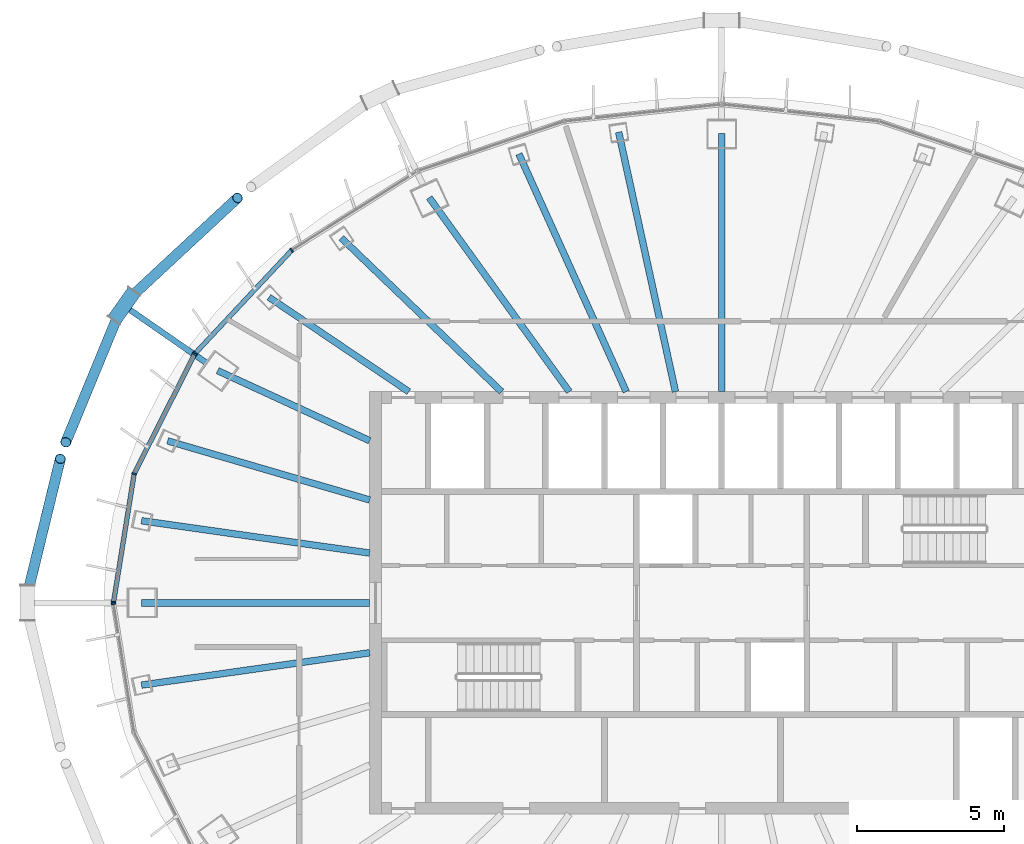
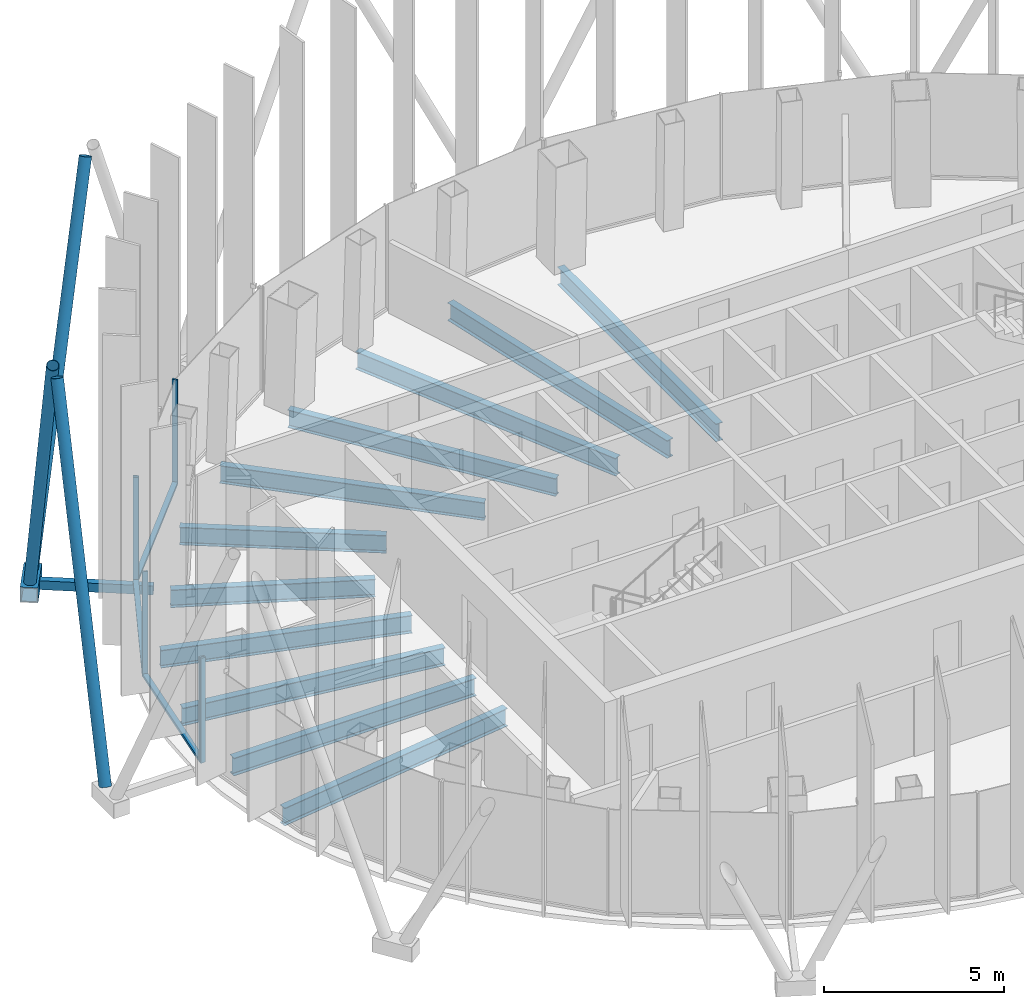
# One storey, part 4 of 19: 14 members, 11 beams, 3 elements without a shape of their own.
"""IFC4 building model written with IfcOpenShell, lengths in metres."""

from ifc_helpers import new_model, si_unit, direction, frame, origin, origin_2d, place, context, subcontext, project, spatial, rectangle, hollow_rectangle, hollow_circle, i_section, extrude, material, layer, layer_set, material_profile, profile_set, type_object, element, aggregate, save


model = new_model("IFC4")

# Units and contexts
model_context = context("Model", 3, precision=1e-05, world=origin(), true_north=direction((0.0, 1.0)))
body_context = subcontext(model_context, "Body", "Model", "MODEL_VIEW")
ifc_project = project(units=[si_unit("LENGTHUNIT", "METRE"), si_unit("AREAUNIT", "SQUARE_METRE"), si_unit("VOLUMEUNIT", "CUBIC_METRE"), si_unit("PLANEANGLEUNIT", "RADIAN"), si_unit("MASSUNIT", "GRAM", prefix="KILO")], contexts=[model_context])

# Site, building, storey
site_placement = place(None, origin())
site = spatial("IfcSite", under=ifc_project, at=site_placement, CompositionType="ELEMENT")
building_placement = place(site_placement, origin())
building = spatial("IfcBuilding", under=site, at=building_placement, Name="Siaravel Broadcast Tower", CompositionType="ELEMENT")
storey_placement = place(building_placement, frame((0.0, 0.0, 250.39990234375)))
storey = spatial("IfcBuildingStorey", under=building, at=storey_placement, Name="L61", CompositionType="ELEMENT", Elevation=250.39990234375)

# Beams
ifc_material_1 = material(Name="Steel S355", Category="steel")
ifc_material_profile_1 = material_profile(ifc_material_1, i_section(OverallWidth=0.2275390625, OverallDepth=0.6025390625, WebThickness=0.010498046875, FlangeThickness=0.014892578125, FilletRadius=0.0126953125, at=origin_2d()))
ifc_profile_set_1 = profile_set([ifc_material_profile_1], Name="Steel S355")
beam_type = type_object("IfcBeamType", Name="BM-UB 610x229x101", PredefinedType="BEAM", material=ifc_profile_set_1)
beam_1_placement = place(storey_placement, frame((0.0, 15.99951171875, -0.451171875), z_axis=(0.0, -1.0, 0.0), x_axis=(1.0, 0.0, 0.0)))
element("IfcBeam", 1, at=beam_1_placement, inside=storey, type_object=beam_type, Name="Radial beam RB10", PredefinedType="BEAM", context=body_context, shape_type="SweptSolid", body=[
    extrude(i_section(OverallWidth=0.2275390625, OverallDepth=0.6025390625, WebThickness=0.010498046875, FlangeThickness=0.014892578125, FilletRadius=0.0126953125, at=origin_2d()), origin(), (0.0, 0.0, 1.0), 8.799560546875),
])
beam_2_placement = place(storey_placement, frame((-3.5107421875, 16.048095703125, -0.451171875), z_axis=(0.213698487, -0.976899666, 0.0), x_axis=(0.976899666, 0.213698487, 0.0)))
element("IfcBeam", 2, at=beam_2_placement, inside=storey, type_object=beam_type, Name="Radial beam RB11", PredefinedType="BEAM", context=body_context, shape_type="SweptSolid", body=[
    extrude(i_section(OverallWidth=0.2275390625, OverallDepth=0.6025390625, WebThickness=0.010498046875, FlangeThickness=0.014892578125, FilletRadius=0.0126953125, at=origin_2d()), origin(), (0.0, 0.0, 1.0), 9.057373046875),
])
beam_3_placement = place(storey_placement, frame((-6.911376953125, 15.3017578125, -0.451171875), z_axis=(0.411614684, -0.911357971, 0.0), x_axis=(0.911357971, 0.411614684, 0.0)))
element("IfcBeam", 3, at=beam_3_placement, inside=storey, type_object=beam_type, Name="Radial beam RB12", PredefinedType="BEAM", context=body_context, shape_type="SweptSolid", body=[
    extrude(i_section(OverallWidth=0.2275390625, OverallDepth=0.6025390625, WebThickness=0.010498046875, FlangeThickness=0.014892578125, FilletRadius=0.0126953125, at=origin_2d()), origin(), (0.0, 0.0, 1.0), 8.889892578125),
])
beam_4_placement = place(storey_placement, frame((-9.967529296875, 13.814208984375, -0.451171875), z_axis=(0.585127658, -0.810941196, 0.0), x_axis=(0.810941196, 0.585127658, 0.0)))
element("IfcBeam", 4, at=beam_4_placement, inside=storey, type_object=beam_type, Name="Radial beam RB13", PredefinedType="BEAM", context=body_context, shape_type="SweptSolid", body=[
    extrude(i_section(OverallWidth=0.2275390625, OverallDepth=0.6025390625, WebThickness=0.010498046875, FlangeThickness=0.014892578125, FilletRadius=0.0126953125, at=origin_2d()), origin(), (0.0, 0.0, 1.0), 8.15625),
])
beam_5_placement = place(storey_placement, frame((-12.965576171875, 12.439697265625, -0.451171875), z_axis=(0.721584548, -0.692326325, 0.0), x_axis=(0.692326325, 0.721584548, 0.0)))
element("IfcBeam", 5, at=beam_5_placement, inside=storey, type_object=beam_type, Name="Radial beam RB14", PredefinedType="BEAM", context=body_context, shape_type="SweptSolid", body=[
    extrude(i_section(OverallWidth=0.2275390625, OverallDepth=0.6025390625, WebThickness=0.010498046875, FlangeThickness=0.014892578125, FilletRadius=0.0126953125, at=origin_2d()), origin(), (0.0, 0.0, 1.0), 7.568359375),
])
beam_6_placement = place(storey_placement, frame((-15.432861328125, 10.4189453125, -0.451171875), z_axis=(0.828804394, -0.55953845, 0.0), x_axis=(0.55953845, 0.828804394, 0.0)))
element("IfcBeam", 6, at=beam_6_placement, inside=storey, type_object=beam_type, Name="Radial beam RB15", PredefinedType="BEAM", context=body_context, shape_type="SweptSolid", body=[
    extrude(i_section(OverallWidth=0.2275390625, OverallDepth=0.6025390625, WebThickness=0.010498046875, FlangeThickness=0.014892578125, FilletRadius=0.0126953125, at=origin_2d()), origin(), (0.0, 0.0, 1.0), 5.7529296875),
])
beam_7_placement = place(storey_placement, frame((-17.1796875, 7.916015625, -0.451171875), z_axis=(0.908219817, -0.418493445, 0.0), x_axis=(0.418493445, 0.908219817, 0.0)))
element("IfcBeam", 7, at=beam_7_placement, inside=storey, type_object=beam_type, Name="Radial beam RB16", PredefinedType="BEAM", context=body_context, shape_type="SweptSolid", body=[
    extrude(i_section(OverallWidth=0.2275390625, OverallDepth=0.6025390625, WebThickness=0.010498046875, FlangeThickness=0.014892578125, FilletRadius=0.0126953125, at=origin_2d()), origin(), (0.0, 0.0, 1.0), 5.703125),
])
beam_8_placement = place(storey_placement, frame((-18.8857421875, 5.523681640625, -0.451171875), z_axis=(0.959790868, -0.280716029, 0.0), x_axis=(0.280716029, 0.959790868, 0.0)))
element("IfcBeam", 8, at=beam_8_placement, inside=storey, type_object=beam_type, Name="Radial beam RB17", PredefinedType="BEAM", context=body_context, shape_type="SweptSolid", body=[
    extrude(i_section(OverallWidth=0.2275390625, OverallDepth=0.6025390625, WebThickness=0.010498046875, FlangeThickness=0.014892578125, FilletRadius=0.0126953125, at=origin_2d()), origin(), (0.0, 0.0, 1.0), 7.17431640625),
])
beam_9_placement = place(storey_placement, frame((-19.776611328125, 2.801025390625, -0.451171875), z_axis=(0.990120349, -0.140220164, 0.0), x_axis=(0.140220164, 0.990120349, 0.0)))
element("IfcBeam", 9, at=beam_9_placement, inside=storey, type_object=beam_type, Name="Radial beam RB18", PredefinedType="BEAM", context=body_context, shape_type="SweptSolid", body=[
    extrude(i_section(OverallWidth=0.2275390625, OverallDepth=0.6025390625, WebThickness=0.010498046875, FlangeThickness=0.014892578125, FilletRadius=0.0126953125, at=origin_2d()), origin(), (0.0, 0.0, 1.0), 7.854248046875),
])
beam_10_placement = place(storey_placement, frame((-19.775634765625, 0.0, -0.451171875), z_axis=(1.0, 0.0, 0.0), x_axis=(0.0, 1.0, 0.0)))
element("IfcBeam", 10, at=beam_10_placement, inside=storey, type_object=beam_type, Name="Radial beam RB19", PredefinedType="BEAM", context=body_context, shape_type="SweptSolid", body=[
    extrude(i_section(OverallWidth=0.2275390625, OverallDepth=0.6025390625, WebThickness=0.010498046875, FlangeThickness=0.014892578125, FilletRadius=0.0126953125, at=origin_2d()), origin(), (0.0, 0.0, 1.0), 7.775634765625),
])
beam_11_placement = place(storey_placement, frame((-19.776611328125, -2.801025390625, -0.451171875), z_axis=(0.990120349, 0.140220164, 0.0), x_axis=(-0.140220164, 0.990120349, 0.0)))
element("IfcBeam", 11, at=beam_11_placement, inside=storey, type_object=beam_type, Name="Radial beam RB20", PredefinedType="BEAM", context=body_context, shape_type="SweptSolid", body=[
    extrude(i_section(OverallWidth=0.2275390625, OverallDepth=0.6025390625, WebThickness=0.010498046875, FlangeThickness=0.014892578125, FilletRadius=0.0126953125, at=origin_2d()), origin(), (0.0, 0.0, 1.0), 7.854248046875),
])

# Curtain wall, members
ifc_material_2 = material(Name="Aluminium 6063-T6", Category="aluminium")
ifc_layer = layer(ifc_material_2, 0.159912109375)
ifc_layer_set = layer_set([ifc_layer], Name="Aluminium 6063-T6")
curtain_wall_type = type_object("IfcCurtainWallType", Name="Unitised curtain wall, zone 4", PredefinedType="NOTDEFINED", material=ifc_layer_set)
curtain_wall_1_placement = place(storey_placement, origin())
curtain_wall_1 = element("IfcCurtainWall", 12, at=curtain_wall_1_placement, inside=storey, type_object=curtain_wall_type, Name="L61 Unitised curtain wall, zone 4 05", PredefinedType="NOTDEFINED")
ifc_material_profile_2 = material_profile(ifc_material_2, rectangle(XDim=0.159912109375, YDim=0.054931640625, at=origin_2d()))
ifc_profile_set_2 = profile_set([ifc_material_profile_2], Name="Aluminium 6063-T6")
member_type_1 = type_object("IfcMemberType", Name="CW-Z4 mullion", PredefinedType="MULLION", material=ifc_profile_set_2)
member_1_placement = place(storey_placement, frame((-14.6572265625, 12.0185546875, 0.0), z_axis=(0.0, 0.0, 1.0), x_axis=(0.636220107, -0.771507599, 0.0)))
member_1 = element("IfcMember", 13, at=member_1_placement, type_object=member_type_1, Name="CW-Z4 mullion 2", PredefinedType="MULLION", context=body_context, shape_type="SweptSolid", body=[
    extrude(rectangle(XDim=0.159912109375, YDim=0.054931640625, at=origin_2d()), origin(), (0.0, 0.0, 1.0), 3.550048828125),
])
member_2_placement = place(storey_placement, frame((-17.9345703125, 8.52001953125, 0.0), z_axis=(0.0, 0.0, 1.0), x_axis=(0.729806711, -0.683653541, 0.0)))
member_2 = element("IfcMember", 14, at=member_2_placement, type_object=member_type_1, Name="CW-Z4 mullion 3", PredefinedType="MULLION", context=body_context, shape_type="SweptSolid", body=[
    extrude(rectangle(XDim=0.159912109375, YDim=0.054931640625, at=origin_2d()), origin(), (0.0, 0.0, 1.0), 3.550048828125),
])

curtain_wall_2_placement = place(storey_placement, origin())
curtain_wall_2 = element("IfcCurtainWall", 15, at=curtain_wall_2_placement, inside=storey, type_object=curtain_wall_type, Name="L61 Unitised curtain wall, zone 4 06", PredefinedType="NOTDEFINED")
member_3_placement = place(storey_placement, frame((-17.9658203125, 8.475341796875, 0.0), z_axis=(0.0, 0.0, 1.0), x_axis=(0.892393007, -0.45125904, 0.0)))
member_3 = element("IfcMember", 16, at=member_3_placement, type_object=member_type_1, Name="CW-Z4 mullion 1", PredefinedType="MULLION", context=body_context, shape_type="SweptSolid", body=[
    extrude(rectangle(XDim=0.159912109375, YDim=0.054931640625, at=origin_2d()), origin(), (0.0, 0.0, 1.0), 3.550048828125),
])
member_4_placement = place(storey_placement, frame((-20.0263671875, 4.400390625, 0.0), z_axis=(0.0, 0.0, 1.0), x_axis=(0.951177667, -0.30864388, 0.0)))
member_4 = element("IfcMember", 17, at=member_4_placement, type_object=member_type_1, Name="CW-Z4 mullion 2", PredefinedType="MULLION", context=body_context, shape_type="SweptSolid", body=[
    extrude(rectangle(XDim=0.159912109375, YDim=0.054931640625, at=origin_2d()), origin(), (0.0, 0.0, 1.0), 3.550048828125),
])
member_5_placement = place(storey_placement, frame((-20.729248046875, 0.027099609375, 0.0), z_axis=(0.0, 0.0, 1.0), x_axis=(0.987329322, -0.158684626, 0.0)))
member_5 = element("IfcMember", 18, at=member_5_placement, type_object=member_type_1, Name="CW-Z4 mullion 3", PredefinedType="MULLION", context=body_context, shape_type="SweptSolid", body=[
    extrude(rectangle(XDim=0.159912109375, YDim=0.054931640625, at=origin_2d()), origin(), (0.0, 0.0, 1.0), 3.550048828125),
])

# Curtain wall, member
curtain_wall_3_placement = place(storey_placement, origin())
curtain_wall_3 = element("IfcCurtainWall", 19, at=curtain_wall_3_placement, inside=storey, type_object=curtain_wall_type, Name="L61 Unitised curtain wall, zone 4 07", PredefinedType="NOTDEFINED")
member_6_placement = place(storey_placement, frame((-20.729248046875, -0.027099609375, 0.0), z_axis=(0.0, 0.0, 1.0), x_axis=(0.987329322, 0.158684626, 0.0)))
member_6 = element("IfcMember", 20, at=member_6_placement, type_object=member_type_1, Name="CW-Z4 mullion 1", PredefinedType="MULLION", context=body_context, shape_type="SweptSolid", body=[
    extrude(rectangle(XDim=0.159912109375, YDim=0.054931640625, at=origin_2d()), origin(), (0.0, 0.0, 1.0), 3.550048828125),
])
aggregate(curtain_wall_3, [member_6])

# Member
ifc_material_profile_3 = material_profile(ifc_material_2, rectangle(XDim=0.159912109375, YDim=0.090087890625, at=origin_2d()))
ifc_profile_set_3 = profile_set([ifc_material_profile_3], Name="Aluminium 6063-T6")
member_type_2 = type_object("IfcMemberType", Name="CW-Z4 transom", PredefinedType="USERDEFINED", material=ifc_profile_set_3)
member_7_placement = place(storey_placement, frame((-14.676025390625, 11.99853515625, 0.045166015625), z_axis=(-0.683649743, -0.729810269, 0.0), x_axis=(0.729810269, -0.683649743, 0.0)))
member_7 = element("IfcMember", 21, at=member_7_placement, type_object=member_type_2, Name="CW-Z4 transom 2", ObjectType="TRANSOM", PredefinedType="USERDEFINED", context=body_context, shape_type="SweptSolid", body=[
    extrude(rectangle(XDim=0.159912109375, YDim=0.090087890625, at=origin_2d()), origin(), (0.0, 0.0, 1.0), 4.739013671875),
])

aggregate(curtain_wall_1, [member_1, member_2, member_7])

member_8_placement = place(storey_placement, frame((-17.978271484375, 8.45068359375, 0.045166015625), z_axis=(-0.451257233, -0.892393921, 0.0), x_axis=(0.892393921, -0.451257233, 0.0)))
member_8 = element("IfcMember", 22, at=member_8_placement, type_object=member_type_2, Name="CW-Z4 transom 1", ObjectType="TRANSOM", PredefinedType="USERDEFINED", context=body_context, shape_type="SweptSolid", body=[
    extrude(rectangle(XDim=0.159912109375, YDim=0.090087890625, at=origin_2d()), origin(), (0.0, 0.0, 1.0), 4.510986328125),
])

member_9_placement = place(storey_placement, frame((-20.03076171875, 4.373291015625, 0.045166015625), z_axis=(-0.158667409, -0.987332089, 0.0), x_axis=(0.987332089, -0.158667409, 0.0)))
member_9 = element("IfcMember", 23, at=member_9_placement, type_object=member_type_2, Name="CW-Z4 transom 2", ObjectType="TRANSOM", PredefinedType="USERDEFINED", context=body_context, shape_type="SweptSolid", body=[
    extrude(rectangle(XDim=0.159912109375, YDim=0.090087890625, at=origin_2d()), origin(), (0.0, 0.0, 1.0), 4.37451171875),
])

aggregate(curtain_wall_2, [member_3, member_4, member_5, member_8, member_9])

# Members
ifc_material_3 = material(Name="Steel S460", Category="steel")
ifc_material_profile_4 = material_profile(ifc_material_3, hollow_circle(Radius=0.177734375, WallThickness=0.012451171875, at=origin_2d()))
ifc_profile_set_4 = profile_set([ifc_material_profile_4], Name="Steel S460")
member_type_3 = type_object("IfcMemberType", Name="Diagrid diagonal CHS 355.6x12.5", PredefinedType="BRACE", material=ifc_profile_set_4)
member_10_placement = place(storey_placement, frame((-20.2001953125, 10.367919921875, 0.02001953125), z_axis=(0.313561606, 0.291310717, 0.90377939), x_axis=(-0.680634718, 0.732622946, 0.0)))
element("IfcMember", 24, at=member_10_placement, inside=storey, type_object=member_type_3, Name="Diagrid diagonal R25 station 30C", PredefinedType="BRACE", context=body_context, shape_type="SweptSolid", body=[
    extrude(hollow_circle(Radius=0.177734375, WallThickness=0.012451171875, at=origin_2d()), origin(), (0.0, 0.0, 1.0), 11.795166015625),
])
member_11_placement = place(storey_placement, frame((-20.540771484375, 9.884765625, 0.02001953125), z_axis=(-0.155613131, -0.377660777, 0.912774282), x_axis=(0.92458692, -0.380971163, 0.0)))
element("IfcMember", 25, at=member_11_placement, inside=storey, type_object=member_type_3, Name="Diagrid diagonal R25 station 30A", PredefinedType="BRACE", context=body_context, shape_type="SweptSolid", body=[
    extrude(hollow_circle(Radius=0.177734375, WallThickness=0.012451171875, at=origin_2d()), origin(), (0.0, 0.0, 1.0), 11.678955078125),
])
member_12_placement = place(storey_placement, frame((-23.667724609375, 0.295654296875, 0.02001953125), z_axis=(0.096452736, 0.395558715, 0.913362016), x_axis=(-0.971534472, 0.236898226, 0.0)))
element("IfcMember", 26, at=member_12_placement, inside=storey, type_object=member_type_3, Name="Diagrid diagonal R25 station 36C", PredefinedType="BRACE", context=body_context, shape_type="SweptSolid", body=[
    extrude(hollow_circle(Radius=0.177734375, WallThickness=0.012451171875, at=origin_2d()), origin(), (0.0, 0.0, 1.0), 11.67138671875),
])
ifc_material_profile_5 = material_profile(ifc_material_3, hollow_rectangle(XDim=0.5, YDim=0.5, WallThickness=0.031982421875, at=origin_2d()))
ifc_profile_set_5 = profile_set([ifc_material_profile_5], Name="Steel S460")
member_type_4 = type_object("IfcMemberType", Name="Diagrid node BOX 500x500x32", PredefinedType="USERDEFINED", material=ifc_profile_set_5)
member_13_placement = place(storey_placement, frame((-20.028564453125, 10.611328125, -0.199951171875), z_axis=(-0.576206583, -0.817304089, 0.0), x_axis=(0.817304089, -0.576206583, 0.0)))
element("IfcMember", 27, at=member_13_placement, inside=storey, type_object=member_type_4, Name="Diagrid node R25 station 30", ObjectType="DIAGRID NODE", PredefinedType="USERDEFINED", context=body_context, shape_type="SweptSolid", body=[
    extrude(hollow_rectangle(XDim=0.5, YDim=0.5, WallThickness=0.031982421875, at=origin_2d()), origin(), (0.0, 0.0, 1.0), 1.186767578125),
])
ifc_material_profile_6 = material_profile(ifc_material_3, hollow_rectangle(XDim=0.199951171875, YDim=0.300048828125, WallThickness=0.012451171875, at=origin_2d()))
ifc_profile_set_6 = profile_set([ifc_material_profile_6], Name="Steel S460")
member_type_5 = type_object("IfcMemberType", Name="Diagrid node arm RHS 300x200x12.5", PredefinedType="STRUT", material=ifc_profile_set_6)
member_14_placement = place(storey_placement, frame((-17.566162109375, 8.18359375, -0.199951171875), z_axis=(-0.821996626, 0.569492358, 0.0), x_axis=(-0.569492358, -0.821996626, 0.0)))
element("IfcMember", 28, at=member_14_placement, inside=storey, type_object=member_type_5, Name="Node arm R25 station 30", PredefinedType="STRUT", context=body_context, shape_type="SweptSolid", body=[
    extrude(hollow_rectangle(XDim=0.199951171875, YDim=0.300048828125, WallThickness=0.012451171875, at=origin_2d()), origin(), (0.0, 0.0, 1.0), 3.191650390625),
])

save(model, "model.ifc")
